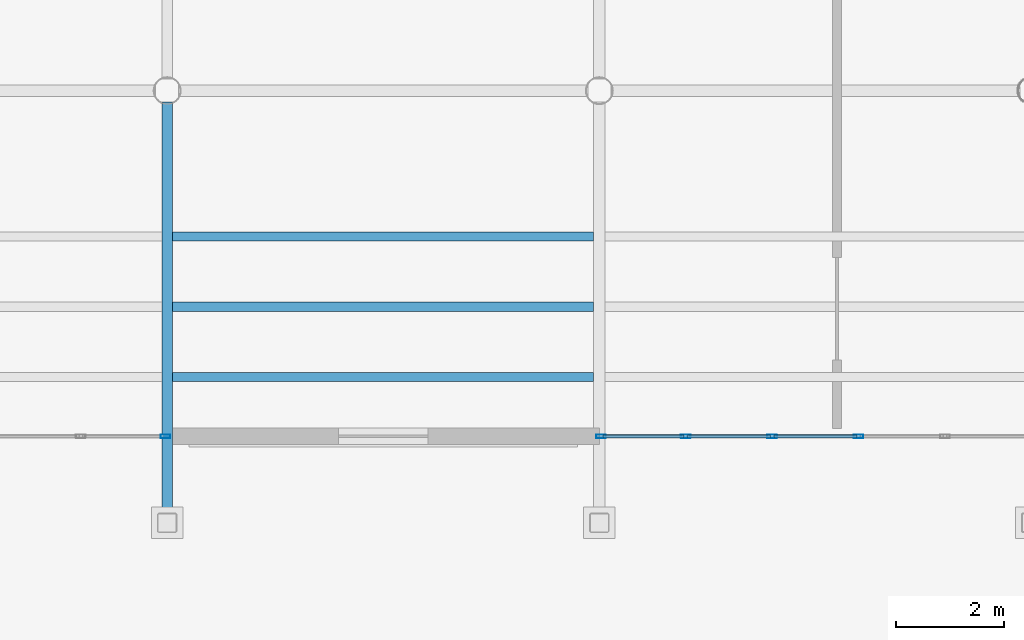
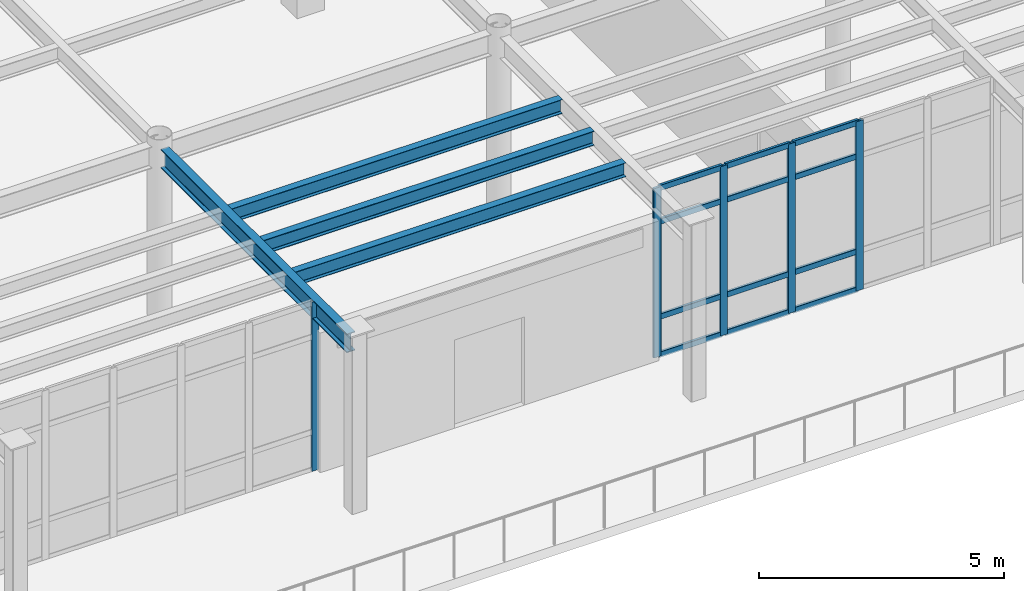
# One storey, part 39 of 111: 17 members, 4 beams, 2 elements without a shape of their own.
"""IFC4 building model written with IfcOpenShell, lengths in metres."""

from ifc_helpers import new_model, si_unit, direction, frame, origin, origin_2d, place, context, subcontext, project, spatial, hollow_rectangle, i_section, extrude, material, material_profile, profile_set, type_object, element, aggregate, save


model = new_model("IFC4")

# Units and contexts
model_context = context("Model", 3, precision=1e-05, world=origin(), true_north=direction((0.0, 1.0)))
body_context = subcontext(model_context, "Body", "Model", "MODEL_VIEW")
ifc_project = project(units=[si_unit("LENGTHUNIT", "METRE"), si_unit("AREAUNIT", "SQUARE_METRE"), si_unit("VOLUMEUNIT", "CUBIC_METRE"), si_unit("PLANEANGLEUNIT", "RADIAN"), si_unit("MASSUNIT", "GRAM", prefix="KILO")], contexts=[model_context])

# Site, building, storey
site_placement = place(None, origin())
site = spatial("IfcSite", under=ifc_project, at=site_placement, CompositionType="ELEMENT")
building_placement = place(site_placement, origin())
building = spatial("IfcBuilding", under=site, at=building_placement, Name="Solmirada Galleria", CompositionType="ELEMENT")
storey_placement = place(building_placement, frame((0.0, 0.0, 10.39990234375)))
storey = spatial("IfcBuildingStorey", under=building, at=storey_placement, Name="L02", CompositionType="ELEMENT", Elevation=10.39990234375)

# Beams
ifc_material_1 = material(Name="Steel S355 / ASTM A992 Grade 50", Category="steel")
ifc_material_profile_1 = material_profile(ifc_material_1, i_section(OverallWidth=0.194091796875, OverallDepth=0.468994140625, WebThickness=0.0126953125, FlangeThickness=0.0205078125, FilletRadius=0.013916015625, at=origin_2d()), Name="W18X71")
ifc_profile_set_1 = profile_set([ifc_material_profile_1], Name="Steel S355 / ASTM A992 Grade 50")
beam_type_1 = type_object("IfcBeamType", Name="BM-GIRD-W18B", PredefinedType="BEAM", material=ifc_profile_set_1)
beam_1_placement = place(storey_placement, frame((56.0, 80.177978515625, 4.025634765625), z_axis=(0.0, 1.0, 0.0), x_axis=(-1.0, 0.0, 0.0)))
element("IfcBeam", 1, at=beam_1_placement, inside=storey, type_object=beam_type_1, Name="Primary girder L03 Y(56, 80..88)", PredefinedType="BEAM", context=body_context, shape_type="SweptSolid", body=[
    extrude(i_section(OverallWidth=0.194091796875, OverallDepth=0.468994140625, WebThickness=0.0126953125, FlangeThickness=0.0205078125, FilletRadius=0.013916015625, at=origin_2d()), origin(), (0.0, 0.0, 1.0), 7.608642578125),
])
ifc_material_profile_2 = material_profile(ifc_material_1, i_section(OverallWidth=0.172119140625, OverallDepth=0.35791015625, WebThickness=0.0078125, FlangeThickness=0.01318359375, FilletRadius=0.011962890625, at=origin_2d()), Name="W14X38")
ifc_profile_set_2 = profile_set([ifc_material_profile_2], Name="Steel S355 / ASTM A992 Grade 50")
beam_type_2 = type_object("IfcBeamType", Name="BM-JST-W14A", PredefinedType="JOIST", material=ifc_profile_set_2)
beam_2_placement = place(storey_placement, frame((56.096923828125, 84.0, 4.0810546875), z_axis=(1.0, 0.0, 0.0), x_axis=(0.0, 1.0, 0.0)))
element("IfcBeam", 2, at=beam_2_placement, inside=storey, type_object=beam_type_2, Name="Composite floor joist L03 (56..64, 84.0)", PredefinedType="JOIST", context=body_context, shape_type="SweptSolid", body=[
    extrude(i_section(OverallWidth=0.172119140625, OverallDepth=0.35791015625, WebThickness=0.0078125, FlangeThickness=0.01318359375, FilletRadius=0.011962890625, at=origin_2d()), origin(), (0.0, 0.0, 1.0), 7.798095703125),
])
ifc_material_profile_3 = material_profile(ifc_material_1, i_section(OverallWidth=0.1708984375, OverallDepth=0.35205078125, WebThickness=0.0068359375, FlangeThickness=0.009765625, FilletRadius=0.010986328125, at=origin_2d()), Name="W14X30")
ifc_profile_set_3 = profile_set([ifc_material_profile_3], Name="Steel S355 / ASTM A992 Grade 50")
beam_type_3 = type_object("IfcBeamType", Name="BM-JST-W14B", PredefinedType="JOIST", material=ifc_profile_set_3)
for number, where, z_axis, x_axis, name in (
    (3, (56.096923828125, 82.699951171875, 4.083984375), (1.0, 0.0, 0.0), (0.0, 1.0, 0.0), "Terrace deck joist L03-TERR-NW X=56..64 (1)"),
    (4, (56.096923828125, 85.300048828125, 4.083984375), (1.0, 0.0, 0.0), (0.0, 1.0, 0.0), "Terrace deck joist L03-TERR-NW X=56..64 (2)"),
):
    element("IfcBeam", number, at=place(storey_placement, frame(where, z_axis=z_axis, x_axis=x_axis)), inside=storey, type_object=beam_type_3, Name=name, PredefinedType="JOIST", context=body_context, shape_type="SweptSolid", body=[
        extrude(i_section(OverallWidth=0.1708984375, OverallDepth=0.35205078125, WebThickness=0.0068359375, FlangeThickness=0.009765625, FilletRadius=0.010986328125, at=origin_2d()), origin(), (0.0, 0.0, 1.0), 7.798095703125),
    ])

# Curtain wall, members
ifc_material_2 = material(Name="Impact-resistant low-E double glazing", Category="glass")
curtain_wall_type = type_object("IfcCurtainWallType", Name="CW-FZ4-L02-B5-L080", PredefinedType="NOTDEFINED", material=ifc_material_2)
curtain_wall_1_placement = place(storey_placement, origin())
curtain_wall_1 = element("IfcCurtainWall", 5, at=curtain_wall_1_placement, inside=storey, type_object=curtain_wall_type, Name="Terrace and arcade storefront CW-L02-090", PredefinedType="NOTDEFINED")
ifc_material_3 = material(Name="Anodised aluminium framing", Category="aluminium")
ifc_material_profile_4 = material_profile(ifc_material_3, hollow_rectangle(XDim=0.06494140625, YDim=0.179931640625, WallThickness=0.00390625, InnerFilletRadius=0.00390625, OuterFilletRadius=0.008056640625, at=origin_2d()), Name="ALU-MULL-180X65")
ifc_profile_set_4 = profile_set([ifc_material_profile_4], Name="Anodised aluminium framing")
member_type_1 = type_object("IfcMemberType", Name="CW-MULL-180", PredefinedType="MULLION", material=ifc_profile_set_4)
member_1_placement = place(storey_placement, frame((68.800048828125, 81.60009765625, 0.0), z_axis=(0.0, 0.0, 1.0), x_axis=(0.0, -1.0, 0.0)))
member_1 = element("IfcMember", 6, at=member_1_placement, type_object=member_type_1, Name="CW22 mullion 3", PredefinedType="MULLION", context=body_context, shape_type="SweptSolid", body=[
    extrude(hollow_rectangle(XDim=0.06494140625, YDim=0.179931640625, WallThickness=0.00390625, InnerFilletRadius=0.00390625, OuterFilletRadius=0.008056640625, at=origin_2d()), origin(), (0.0, 0.0, 1.0), 4.22021484375),
])
member_2_placement = place(storey_placement, frame((67.199951171875, 81.60009765625, 0.0), z_axis=(0.0, 0.0, 1.0), x_axis=(0.0, -1.0, 0.0)))
member_2 = element("IfcMember", 7, at=member_2_placement, type_object=member_type_1, Name="CW22 mullion 4", PredefinedType="MULLION", context=body_context, shape_type="SweptSolid", body=[
    extrude(hollow_rectangle(XDim=0.06494140625, YDim=0.179931640625, WallThickness=0.00390625, InnerFilletRadius=0.00390625, OuterFilletRadius=0.008056640625, at=origin_2d()), origin(), (0.0, 0.0, 1.0), 4.22021484375),
])
member_3_placement = place(storey_placement, frame((65.60009765625, 81.60009765625, 0.0), z_axis=(0.0, 0.0, 1.0), x_axis=(0.0, -1.0, 0.0)))
member_3 = element("IfcMember", 8, at=member_3_placement, type_object=member_type_1, Name="CW22 mullion 5", PredefinedType="MULLION", context=body_context, shape_type="SweptSolid", body=[
    extrude(hollow_rectangle(XDim=0.06494140625, YDim=0.179931640625, WallThickness=0.00390625, InnerFilletRadius=0.00390625, OuterFilletRadius=0.008056640625, at=origin_2d()), origin(), (0.0, 0.0, 1.0), 4.22021484375),
])
member_4_placement = place(storey_placement, frame((64.032470703125, 81.60009765625, 0.0), z_axis=(0.0, 0.0, 1.0), x_axis=(0.0, -1.0, 0.0)))
member_4 = element("IfcMember", 9, at=member_4_placement, type_object=member_type_1, Name="CW22 mullion 6", PredefinedType="MULLION", context=body_context, shape_type="SweptSolid", body=[
    extrude(hollow_rectangle(XDim=0.06494140625, YDim=0.179931640625, WallThickness=0.00390625, InnerFilletRadius=0.00390625, OuterFilletRadius=0.008056640625, at=origin_2d()), origin(), (0.0, 0.0, 1.0), 4.22021484375),
])

# Curtain wall, member
curtain_wall_2_placement = place(storey_placement, origin())
curtain_wall_2 = element("IfcCurtainWall", 10, at=curtain_wall_2_placement, inside=storey, type_object=curtain_wall_type, Name="Terrace and arcade storefront CW-L02-091", PredefinedType="NOTDEFINED")
member_5_placement = place(storey_placement, frame((55.967529296875, 81.60009765625, 0.0), z_axis=(0.0, 0.0, 1.0), x_axis=(0.0, -1.0, 0.0)))
member_5 = element("IfcMember", 11, at=member_5_placement, type_object=member_type_1, Name="CW22 mullion 1", PredefinedType="MULLION", context=body_context, shape_type="SweptSolid", body=[
    extrude(hollow_rectangle(XDim=0.06494140625, YDim=0.179931640625, WallThickness=0.00390625, InnerFilletRadius=0.00390625, OuterFilletRadius=0.008056640625, at=origin_2d()), origin(), (0.0, 0.0, 1.0), 4.22021484375),
])
aggregate(curtain_wall_2, [member_5])

# Member
ifc_material_profile_5 = material_profile(ifc_material_3, hollow_rectangle(XDim=0.06494140625, YDim=0.139892578125, WallThickness=0.00341796875, InnerFilletRadius=0.00341796875, OuterFilletRadius=0.007080078125, at=origin_2d()), Name="ALU-TRAN-140X65")
ifc_profile_set_5 = profile_set([ifc_material_profile_5], Name="Anodised aluminium framing")
member_type_2 = type_object("IfcMemberType", Name="CW-TRAN-140", PredefinedType="USERDEFINED", material=ifc_profile_set_5)
member_6_placement = place(storey_placement, frame((68.767578125, 81.60009765625, 0.03271484375), z_axis=(-1.0, 0.0, 0.0), x_axis=(0.0, -1.0, 0.0)))
member_6 = element("IfcMember", 12, at=member_6_placement, type_object=member_type_2, Name="CW22 transom 3.1", ObjectType="TRANSOM", PredefinedType="USERDEFINED", context=body_context, shape_type="SweptSolid", body=[
    extrude(hollow_rectangle(XDim=0.06494140625, YDim=0.139892578125, WallThickness=0.00341796875, InnerFilletRadius=0.00341796875, OuterFilletRadius=0.007080078125, at=origin_2d()), origin(), (0.0, 0.0, 1.0), 1.53515625),
])

member_7_placement = place(storey_placement, frame((68.767578125, 81.60009765625, 0.97998046875), z_axis=(-1.0, 0.0, 0.0), x_axis=(0.0, -1.0, 0.0)))
member_7 = element("IfcMember", 13, at=member_7_placement, type_object=member_type_2, Name="CW22 transom 3.2", ObjectType="TRANSOM", PredefinedType="USERDEFINED", context=body_context, shape_type="SweptSolid", body=[
    extrude(hollow_rectangle(XDim=0.06494140625, YDim=0.139892578125, WallThickness=0.00341796875, InnerFilletRadius=0.00341796875, OuterFilletRadius=0.007080078125, at=origin_2d()), origin(), (0.0, 0.0, 1.0), 1.53515625),
])

member_8_placement = place(storey_placement, frame((68.767578125, 81.60009765625, 3.35009765625), z_axis=(-1.0, 0.0, 0.0), x_axis=(0.0, -1.0, 0.0)))
member_8 = element("IfcMember", 14, at=member_8_placement, type_object=member_type_2, Name="CW22 transom 3.3", ObjectType="TRANSOM", PredefinedType="USERDEFINED", context=body_context, shape_type="SweptSolid", body=[
    extrude(hollow_rectangle(XDim=0.06494140625, YDim=0.139892578125, WallThickness=0.00341796875, InnerFilletRadius=0.00341796875, OuterFilletRadius=0.007080078125, at=origin_2d()), origin(), (0.0, 0.0, 1.0), 1.53515625),
])

member_9_placement = place(storey_placement, frame((68.767578125, 81.60009765625, 4.1875), z_axis=(-1.0, 0.0, 0.0), x_axis=(0.0, -1.0, 0.0)))
member_9 = element("IfcMember", 15, at=member_9_placement, type_object=member_type_2, Name="CW22 transom 3.4", ObjectType="TRANSOM", PredefinedType="USERDEFINED", context=body_context, shape_type="SweptSolid", body=[
    extrude(hollow_rectangle(XDim=0.06494140625, YDim=0.139892578125, WallThickness=0.00341796875, InnerFilletRadius=0.00341796875, OuterFilletRadius=0.007080078125, at=origin_2d()), origin(), (0.0, 0.0, 1.0), 1.53515625),
])

member_10_placement = place(storey_placement, frame((67.16748046875, 81.60009765625, 0.03271484375), z_axis=(-1.0, 0.0, 0.0), x_axis=(0.0, -1.0, 0.0)))
member_10 = element("IfcMember", 16, at=member_10_placement, type_object=member_type_2, Name="CW22 transom 4.1", ObjectType="TRANSOM", PredefinedType="USERDEFINED", context=body_context, shape_type="SweptSolid", body=[
    extrude(hollow_rectangle(XDim=0.06494140625, YDim=0.139892578125, WallThickness=0.00341796875, InnerFilletRadius=0.00341796875, OuterFilletRadius=0.007080078125, at=origin_2d()), origin(), (0.0, 0.0, 1.0), 1.534912109375),
])

member_11_placement = place(storey_placement, frame((67.16748046875, 81.60009765625, 0.97998046875), z_axis=(-1.0, 0.0, 0.0), x_axis=(0.0, -1.0, 0.0)))
member_11 = element("IfcMember", 17, at=member_11_placement, type_object=member_type_2, Name="CW22 transom 4.2", ObjectType="TRANSOM", PredefinedType="USERDEFINED", context=body_context, shape_type="SweptSolid", body=[
    extrude(hollow_rectangle(XDim=0.06494140625, YDim=0.139892578125, WallThickness=0.00341796875, InnerFilletRadius=0.00341796875, OuterFilletRadius=0.007080078125, at=origin_2d()), origin(), (0.0, 0.0, 1.0), 1.534912109375),
])

member_12_placement = place(storey_placement, frame((67.16748046875, 81.60009765625, 3.35009765625), z_axis=(-1.0, 0.0, 0.0), x_axis=(0.0, -1.0, 0.0)))
member_12 = element("IfcMember", 18, at=member_12_placement, type_object=member_type_2, Name="CW22 transom 4.3", ObjectType="TRANSOM", PredefinedType="USERDEFINED", context=body_context, shape_type="SweptSolid", body=[
    extrude(hollow_rectangle(XDim=0.06494140625, YDim=0.139892578125, WallThickness=0.00341796875, InnerFilletRadius=0.00341796875, OuterFilletRadius=0.007080078125, at=origin_2d()), origin(), (0.0, 0.0, 1.0), 1.534912109375),
])

member_13_placement = place(storey_placement, frame((67.16748046875, 81.60009765625, 4.1875), z_axis=(-1.0, 0.0, 0.0), x_axis=(0.0, -1.0, 0.0)))
member_13 = element("IfcMember", 19, at=member_13_placement, type_object=member_type_2, Name="CW22 transom 4.4", ObjectType="TRANSOM", PredefinedType="USERDEFINED", context=body_context, shape_type="SweptSolid", body=[
    extrude(hollow_rectangle(XDim=0.06494140625, YDim=0.139892578125, WallThickness=0.00341796875, InnerFilletRadius=0.00341796875, OuterFilletRadius=0.007080078125, at=origin_2d()), origin(), (0.0, 0.0, 1.0), 1.534912109375),
])

member_14_placement = place(storey_placement, frame((65.5673828125, 81.60009765625, 0.03271484375), z_axis=(-1.0, 0.0, 0.0), x_axis=(0.0, -1.0, 0.0)))
member_14 = element("IfcMember", 20, at=member_14_placement, type_object=member_type_2, Name="CW22 transom 5.1", ObjectType="TRANSOM", PredefinedType="USERDEFINED", context=body_context, shape_type="SweptSolid", body=[
    extrude(hollow_rectangle(XDim=0.06494140625, YDim=0.139892578125, WallThickness=0.00341796875, InnerFilletRadius=0.00341796875, OuterFilletRadius=0.007080078125, at=origin_2d()), origin(), (0.0, 0.0, 1.0), 1.50244140625),
])

member_15_placement = place(storey_placement, frame((65.5673828125, 81.60009765625, 0.97998046875), z_axis=(-1.0, 0.0, 0.0), x_axis=(0.0, -1.0, 0.0)))
member_15 = element("IfcMember", 21, at=member_15_placement, type_object=member_type_2, Name="CW22 transom 5.2", ObjectType="TRANSOM", PredefinedType="USERDEFINED", context=body_context, shape_type="SweptSolid", body=[
    extrude(hollow_rectangle(XDim=0.06494140625, YDim=0.139892578125, WallThickness=0.00341796875, InnerFilletRadius=0.00341796875, OuterFilletRadius=0.007080078125, at=origin_2d()), origin(), (0.0, 0.0, 1.0), 1.50244140625),
])

member_16_placement = place(storey_placement, frame((65.5673828125, 81.60009765625, 3.35009765625), z_axis=(-1.0, 0.0, 0.0), x_axis=(0.0, -1.0, 0.0)))
member_16 = element("IfcMember", 22, at=member_16_placement, type_object=member_type_2, Name="CW22 transom 5.3", ObjectType="TRANSOM", PredefinedType="USERDEFINED", context=body_context, shape_type="SweptSolid", body=[
    extrude(hollow_rectangle(XDim=0.06494140625, YDim=0.139892578125, WallThickness=0.00341796875, InnerFilletRadius=0.00341796875, OuterFilletRadius=0.007080078125, at=origin_2d()), origin(), (0.0, 0.0, 1.0), 1.50244140625),
])

member_17_placement = place(storey_placement, frame((65.5673828125, 81.60009765625, 4.1875), z_axis=(-1.0, 0.0, 0.0), x_axis=(0.0, -1.0, 0.0)))
member_17 = element("IfcMember", 23, at=member_17_placement, type_object=member_type_2, Name="CW22 transom 5.4", ObjectType="TRANSOM", PredefinedType="USERDEFINED", context=body_context, shape_type="SweptSolid", body=[
    extrude(hollow_rectangle(XDim=0.06494140625, YDim=0.139892578125, WallThickness=0.00341796875, InnerFilletRadius=0.00341796875, OuterFilletRadius=0.007080078125, at=origin_2d()), origin(), (0.0, 0.0, 1.0), 1.50244140625),
])

aggregate(curtain_wall_1, [member_1, member_2, member_3, member_4, member_6, member_7, member_8, member_9, member_10, member_11, member_12, member_13, member_14, member_15, member_16, member_17])

save(model, "model.ifc")
